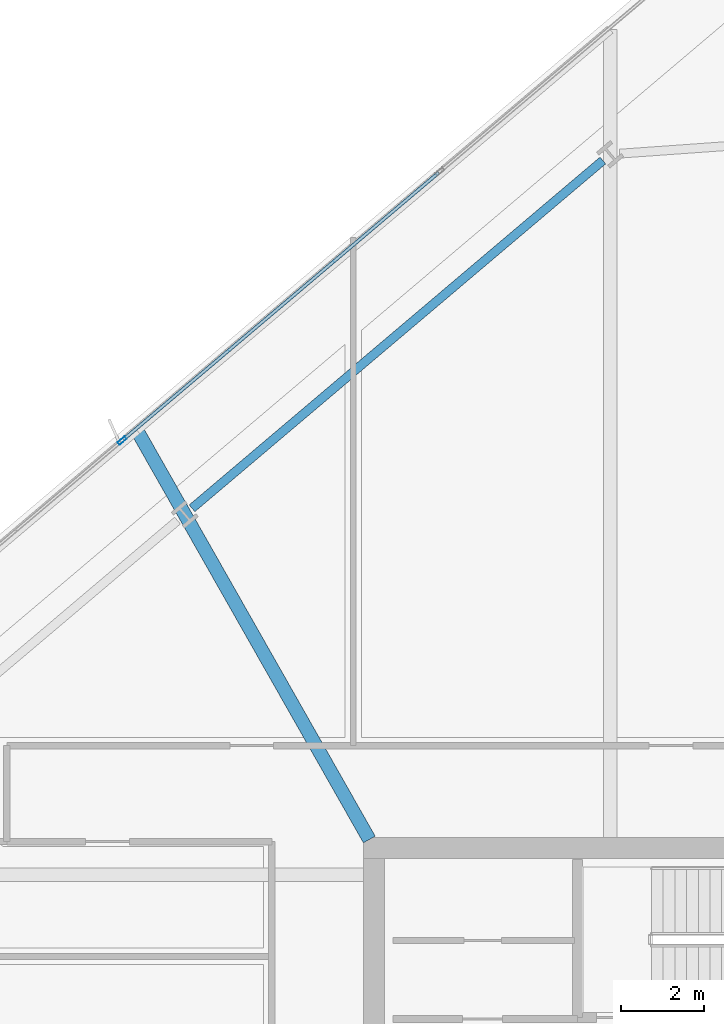
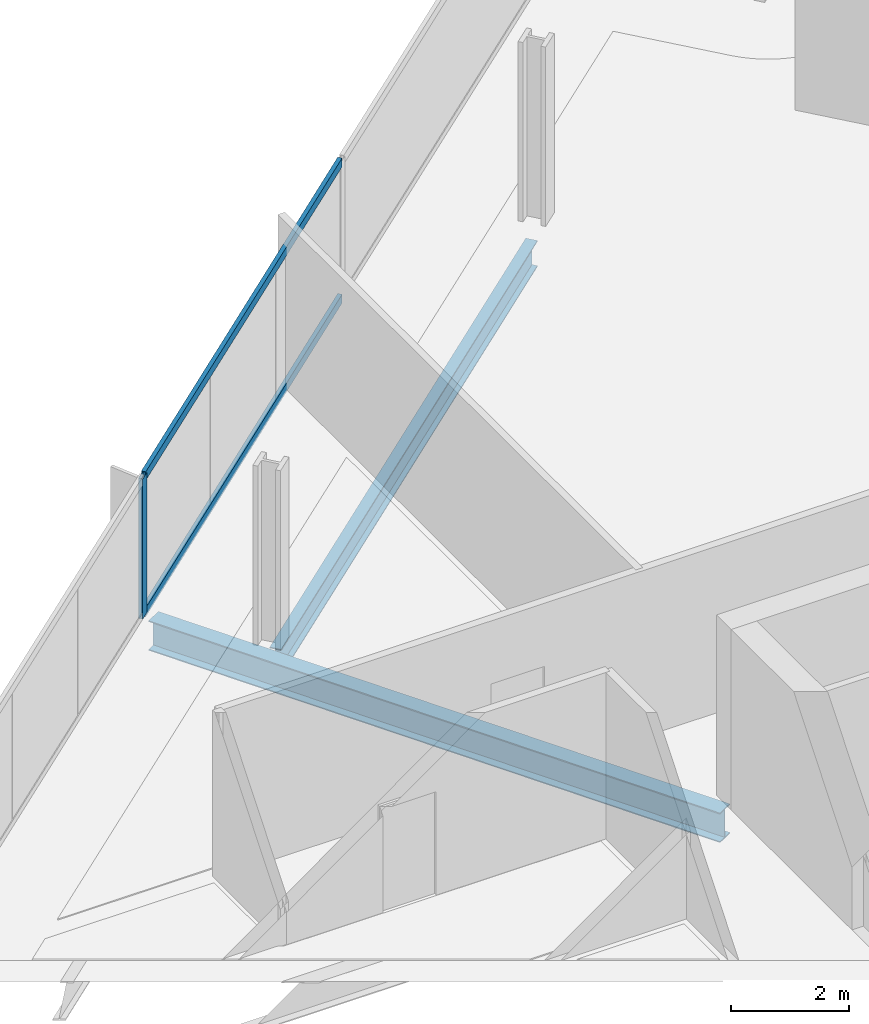
# One storey, part 17 of 34: 3 members, 2 beams, 1 element without a shape of its own.
"""IFC4 building model written with IfcOpenShell, lengths in metres."""

from ifc_helpers import new_model, si_unit, direction, frame, origin, origin_2d, place, context, subcontext, project, spatial, hollow_rectangle, i_section, extrude, material, material_profile, profile_set, type_object, element, aggregate, save


model = new_model("IFC4")

# Units and contexts
model_context = context("Model", 3, precision=1e-05, world=origin(), true_north=direction((0.0, 1.0)))
body_context = subcontext(model_context, "Body", "Model", "MODEL_VIEW")
ifc_project = project(units=[si_unit("LENGTHUNIT", "METRE"), si_unit("AREAUNIT", "SQUARE_METRE"), si_unit("VOLUMEUNIT", "CUBIC_METRE"), si_unit("PLANEANGLEUNIT", "RADIAN"), si_unit("MASSUNIT", "GRAM", prefix="KILO")], contexts=[model_context])

# Site, building, storey
site_placement = place(None, origin())
site = spatial("IfcSite", under=ifc_project, at=site_placement, CompositionType="ELEMENT")
building_placement = place(site_placement, origin())
building = spatial("IfcBuilding", under=site, at=building_placement, Name="Haldenkirk Collegiate Tower", CompositionType="ELEMENT")
storey_placement = place(building_placement, frame((0.0, 0.0, 163.199951171875)))
storey = spatial("IfcBuildingStorey", under=building, at=storey_placement, Name="L40", CompositionType="ELEMENT", Elevation=163.199951171875)

# Beams
ifc_material_1 = material(Name="Steel ASTM A992 Grade 50", Category="steel")
ifc_material_profile_1 = material_profile(ifc_material_1, i_section(OverallWidth=0.324951171875, OverallDepth=0.615966796875, WebThickness=0.013916015625, FlangeThickness=0.021484375, at=origin_2d()), Name="W24X117")
ifc_profile_set_1 = profile_set([ifc_material_profile_1], Name="Steel ASTM A992 Grade 50")
beam_type_1 = type_object("IfcBeamType", Name="BM-GIRDER-W24X117", PredefinedType="BEAM", material=ifc_profile_set_1)
beam_1_placement = place(storey_placement, frame((21.318115234375, 44.00732421875, -0.597900390625), z_axis=(0.493740482667, -0.869609300649, 0.0), x_axis=(0.869609300649, 0.493740482667, 0.0)))
element("IfcBeam", 1, at=beam_1_placement, inside=storey, type_object=beam_type_1, Name="L40 primary floor girder 12", PredefinedType="BEAM", context=body_context, shape_type="SweptSolid", body=[
    extrude(i_section(OverallWidth=0.324951171875, OverallDepth=0.615966796875, WebThickness=0.013916015625, FlangeThickness=0.021484375, at=origin_2d()), origin(), (0.0, 0.0, 1.0), 11.27783203125),
])
ifc_material_profile_2 = material_profile(ifc_material_1, i_section(OverallWidth=0.2119140625, OverallDepth=0.5439453125, WebThickness=0.01318359375, FlangeThickness=0.021240234375, at=origin_2d()), Name="W21X83")
ifc_profile_set_2 = profile_set([ifc_material_profile_2], Name="Steel ASTM A992 Grade 50")
beam_type_2 = type_object("IfcBeamType", Name="BM-SPANDREL-W21X83", PredefinedType="SPANDREL", material=ifc_profile_set_2)
beam_2_placement = place(storey_placement, frame((32.482666015625, 50.471435546875, -0.56201171875), z_axis=(-0.763233335078, -0.646122957514, 0.0), x_axis=(0.646122957514, -0.763233335078, 0.0)))
element("IfcBeam", 2, at=beam_2_placement, inside=storey, type_object=beam_type_2, Name="L40 perimeter spandrel beam 10", PredefinedType="SPANDREL", context=body_context, shape_type="SweptSolid", body=[
    extrude(i_section(OverallWidth=0.2119140625, OverallDepth=0.5439453125, WebThickness=0.01318359375, FlangeThickness=0.021240234375, at=origin_2d()), origin(), (0.0, 0.0, 1.0), 12.898193359375),
])

# Curtain wall, members
ifc_material_2 = material(Name="Anodised architectural bronze aluminium", Category="aluminium")
curtain_wall_type = type_object("IfcCurtainWallType", Name="CW-SYS1-CONVEX-LOW", PredefinedType="USERDEFINED", material=ifc_material_2)
curtain_wall_placement = place(storey_placement, origin())
curtain_wall = element("IfcCurtainWall", 3, at=curtain_wall_placement, inside=storey, type_object=curtain_wall_type, Name="L40 Lower tower convex bronze-framed unitised curtain wall", ObjectType="UNITISED CURTAIN WALL", PredefinedType="USERDEFINED")
ifc_material_profile_3 = material_profile(ifc_material_2, hollow_rectangle(XDim=0.080078125, YDim=0.219970703125, WallThickness=0.0048828125, at=origin_2d()), Name="CW-MUL-1A")
ifc_profile_set_3 = profile_set([ifc_material_profile_3], Name="Anodised architectural bronze aluminium")
member_type_1 = type_object("IfcMemberType", Name="CW-MUL-1A", PredefinedType="MULLION", material=ifc_profile_set_3)
member_1_placement = place(storey_placement, frame((20.964599609375, 43.760498046875, 0.0), z_axis=(0.0, 0.0, 1.0), x_axis=(-0.646124454254, 0.763232067994, 0.0)))
member_1 = element("IfcMember", 4, at=member_1_placement, type_object=member_type_1, Name="CW-1A mullion 3", PredefinedType="MULLION", context=body_context, shape_type="SweptSolid", body=[
    extrude(hollow_rectangle(XDim=0.080078125, YDim=0.219970703125, WallThickness=0.0048828125, at=origin_2d()), origin(), (0.0, 0.0, 1.0), 2.9111328125),
])
ifc_material_profile_4 = material_profile(ifc_material_2, hollow_rectangle(XDim=0.080078125, YDim=0.179931640625, WallThickness=0.0048828125, at=origin_2d()), Name="CW-TRN-1A")
ifc_profile_set_4 = profile_set([ifc_material_profile_4], Name="Anodised architectural bronze aluminium")
member_type_2 = type_object("IfcMemberType", Name="CW-TRN-1A", PredefinedType="USERDEFINED", material=ifc_profile_set_4)
member_2_placement = place(storey_placement, frame((20.9951171875, 43.7861328125, 0.0400390625), z_axis=(0.76322716545, 0.646130245322, 0.0), x_axis=(-0.646130245322, 0.76322716545, 0.0)))
member_2 = element("IfcMember", 5, at=member_2_placement, type_object=member_type_2, Name="CW-1A transom 3.1", ObjectType="TRANSOM", PredefinedType="USERDEFINED", context=body_context, shape_type="SweptSolid", body=[
    extrude(hollow_rectangle(XDim=0.080078125, YDim=0.179931640625, WallThickness=0.0048828125, at=origin_2d()), origin(), (0.0, 0.0, 1.0), 9.895263671875),
])
member_3_placement = place(storey_placement, frame((20.9951171875, 43.7861328125, 2.87109375), z_axis=(0.76322716545, 0.646130245322, 0.0), x_axis=(-0.646130245322, 0.76322716545, 0.0)))
member_3 = element("IfcMember", 6, at=member_3_placement, type_object=member_type_2, Name="CW-1A transom 3.2", ObjectType="TRANSOM", PredefinedType="USERDEFINED", context=body_context, shape_type="SweptSolid", body=[
    extrude(hollow_rectangle(XDim=0.080078125, YDim=0.179931640625, WallThickness=0.0048828125, at=origin_2d()), origin(), (0.0, 0.0, 1.0), 9.895263671875),
])
aggregate(curtain_wall, [member_1, member_2, member_3])

save(model, "model.ifc")
